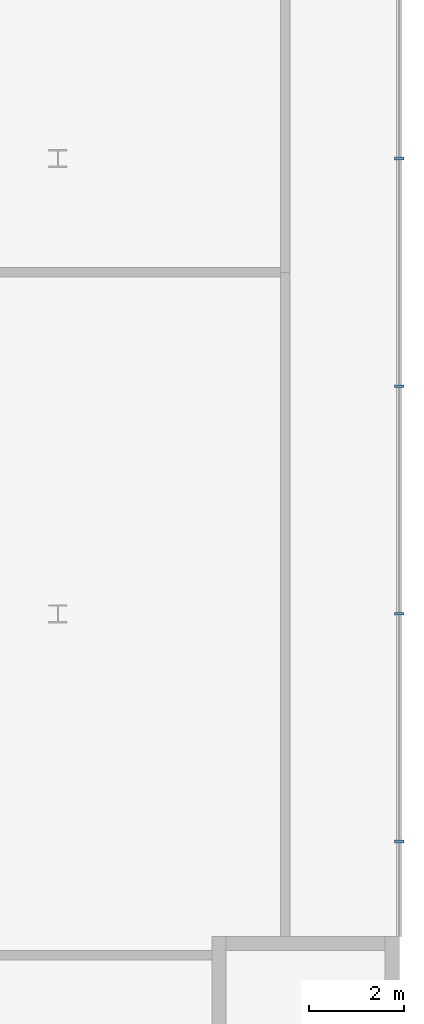
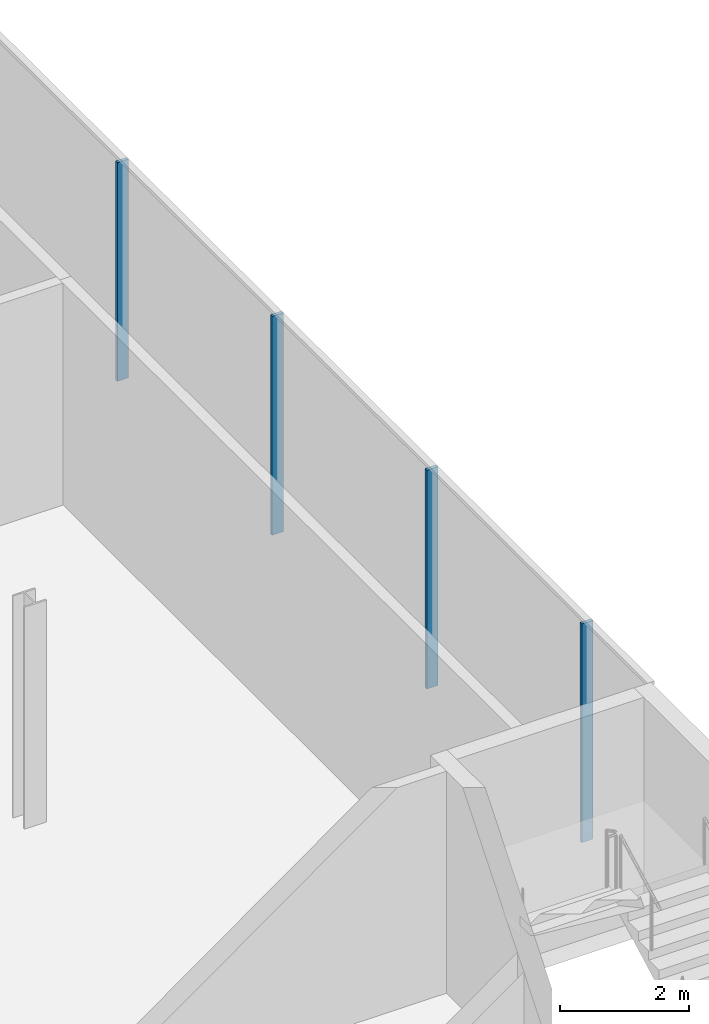
# One storey, part 21 of 45: 4 members, 1 element without a shape of its own.
"""IFC4 building model written with IfcOpenShell, lengths in metres."""

from ifc_helpers import new_model, si_unit, direction, frame, origin, origin_2d, place, context, subcontext, project, spatial, rectangle, extrude, material, layer, layer_set, material_profile, profile_set, type_object, element, aggregate, save


model = new_model("IFC4")

# Units and contexts
model_context = context("Model", 3, precision=1e-05, world=origin(), true_north=direction((0.0, 1.0)))
body_context = subcontext(model_context, "Body", "Model", "MODEL_VIEW")
ifc_project = project(units=[si_unit("LENGTHUNIT", "METRE"), si_unit("AREAUNIT", "SQUARE_METRE"), si_unit("VOLUMEUNIT", "CUBIC_METRE"), si_unit("PLANEANGLEUNIT", "RADIAN"), si_unit("MASSUNIT", "GRAM", prefix="KILO")], contexts=[model_context])

# Site, building, storey
site_placement = place(None, origin())
site = spatial("IfcSite", under=ifc_project, at=site_placement, CompositionType="ELEMENT")
building_placement = place(site_placement, origin())
building = spatial("IfcBuilding", under=site, at=building_placement, Name="Madar Terraces", CompositionType="ELEMENT")
storey_placement = place(building_placement, frame((0.0, 0.0, 6.0)))
storey = spatial("IfcBuildingStorey", under=building, at=storey_placement, Name="L01", CompositionType="ELEMENT", Elevation=6.0)

# Curtain wall, members
ifc_material_1 = material(Name="Glass, clear low-iron, with black aluminium frame", Category="aluminium")
ifc_layer = layer(ifc_material_1, 0.199951171875)
ifc_layer_set = layer_set([ifc_layer], Name="Facade curtain wall, shopfront glazing")
curtain_wall_type = type_object("IfcCurtainWallType", Name="Facade curtain wall, shopfront glazing", PredefinedType="NOTDEFINED", material=ifc_layer_set)
curtain_wall_placement = place(storey_placement, origin())
curtain_wall = element("IfcCurtainWall", 1, at=curtain_wall_placement, inside=storey, type_object=curtain_wall_type, Name="Outer skin curtain wall east bay 1", PredefinedType="NOTDEFINED")
ifc_material_2 = material(Name="Aluminium, black anodised", Category="aluminium")
ifc_material_profile = material_profile(ifc_material_2, rectangle(XDim=0.199951171875, YDim=0.06005859375, at=origin_2d()), Name="Facade mullion 60x200")
ifc_profile_set = profile_set([ifc_material_profile], Name="Aluminium, black anodised")
member_type = type_object("IfcMemberType", Name="Facade mullion 60x200", PredefinedType="MULLION", material=ifc_profile_set)
member_1_placement = place(storey_placement, frame((69.60009765625, 14.39990234375, 0.0), z_axis=(0.0, 0.0, 1.0), x_axis=(-1.0, 0.0, 0.0)))
member_1 = element("IfcMember", 2, at=member_1_placement, type_object=member_type, Name="Mullion 8", PredefinedType="MULLION", context=body_context, shape_type="SweptSolid", body=[
    extrude(rectangle(XDim=0.199951171875, YDim=0.06005859375, at=origin_2d()), origin(), (0.0, 0.0, 1.0), 4.139892578125),
])
member_2_placement = place(storey_placement, frame((69.60009765625, 19.199951171875, 0.0), z_axis=(0.0, 0.0, 1.0), x_axis=(-1.0, 0.0, 0.0)))
member_2 = element("IfcMember", 3, at=member_2_placement, type_object=member_type, Name="Mullion 9", PredefinedType="MULLION", context=body_context, shape_type="SweptSolid", body=[
    extrude(rectangle(XDim=0.199951171875, YDim=0.06005859375, at=origin_2d()), origin(), (0.0, 0.0, 1.0), 4.139892578125),
])
member_3_placement = place(storey_placement, frame((69.60009765625, 24.0, 0.0), z_axis=(0.0, 0.0, 1.0), x_axis=(-1.0, 0.0, 0.0)))
member_3 = element("IfcMember", 4, at=member_3_placement, type_object=member_type, Name="Mullion 10", PredefinedType="MULLION", context=body_context, shape_type="SweptSolid", body=[
    extrude(rectangle(XDim=0.199951171875, YDim=0.06005859375, at=origin_2d()), origin(), (0.0, 0.0, 1.0), 4.139892578125),
])
member_4_placement = place(storey_placement, frame((69.60009765625, 28.800048828125, 0.0), z_axis=(0.0, 0.0, 1.0), x_axis=(-1.0, 0.0, 0.0)))
member_4 = element("IfcMember", 5, at=member_4_placement, type_object=member_type, Name="Mullion 11", PredefinedType="MULLION", context=body_context, shape_type="SweptSolid", body=[
    extrude(rectangle(XDim=0.199951171875, YDim=0.06005859375, at=origin_2d()), origin(), (0.0, 0.0, 1.0), 4.139892578125),
])
aggregate(curtain_wall, [member_1, member_2, member_3, member_4])

save(model, "model.ifc")
